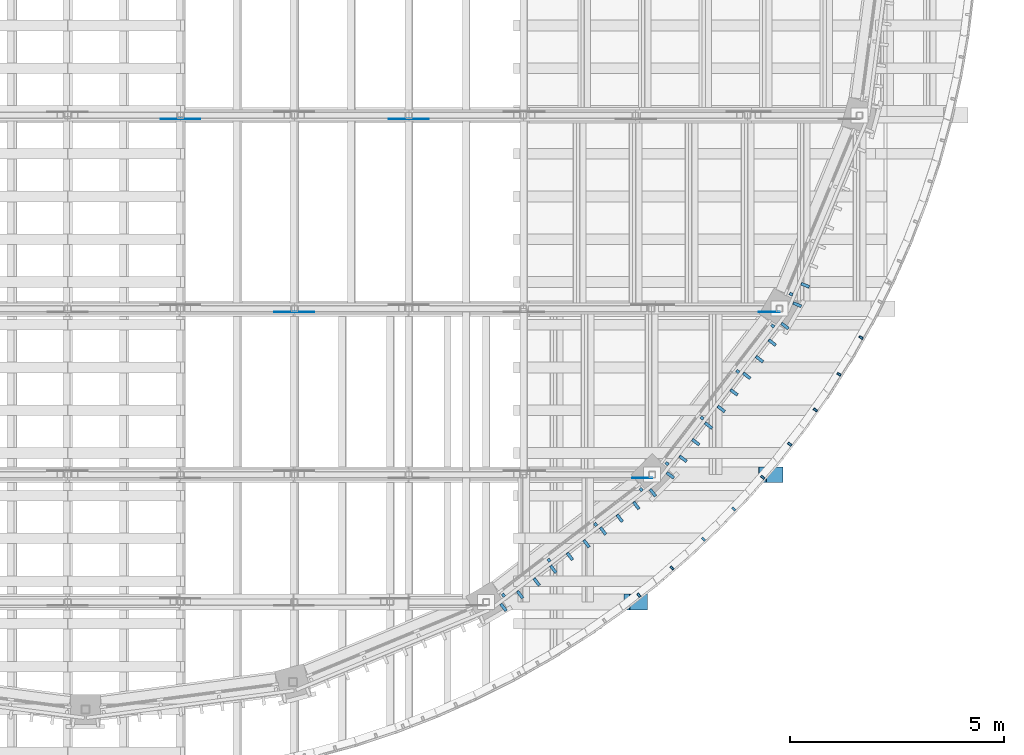
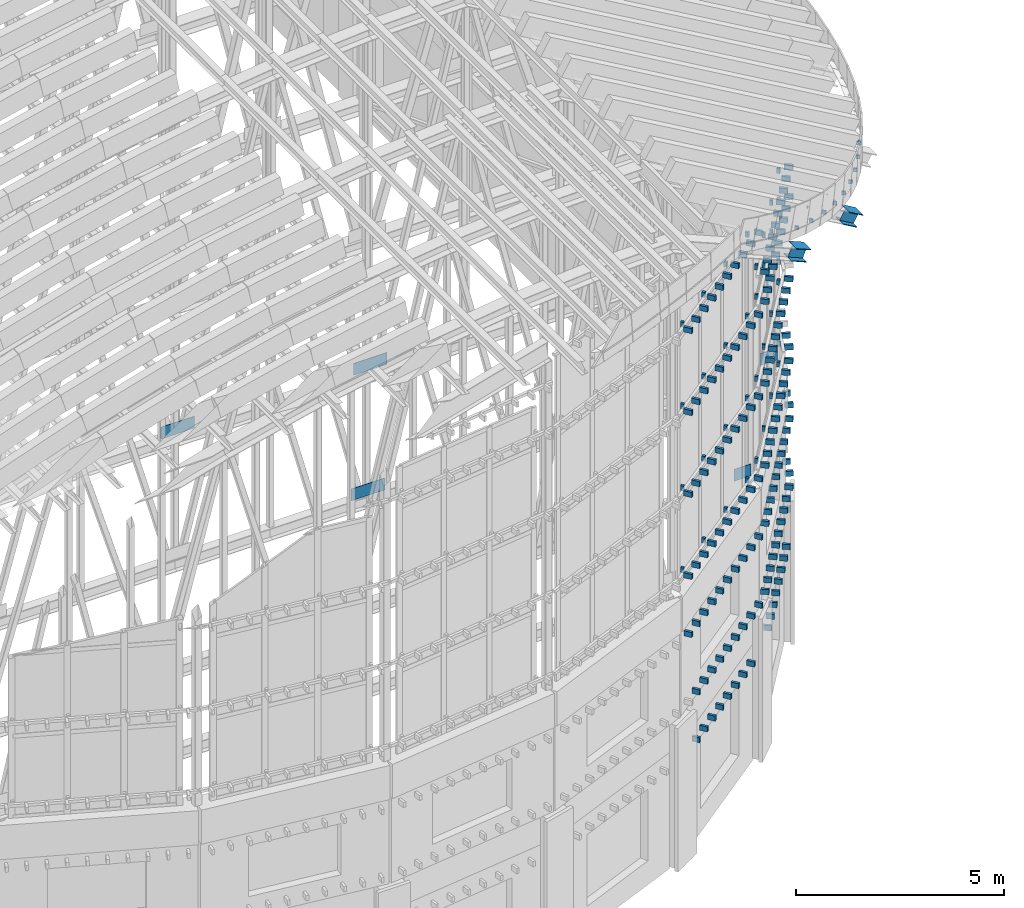
# One storey, part 71 of 105: 192 discrete accessories.
"""IFC4 building model written with IfcOpenShell, lengths in metres."""

from ifc_helpers import new_model, si_unit, direction, frame, origin, origin_2d, place, context, subcontext, project, spatial, polyline, rectangle, i_section, outline, extrude, material, material_profile, profile_set, type_object, element, save


model = new_model("IFC4")

# Units and contexts
model_context = context("Model", 3, precision=1e-05, world=origin(), true_north=direction((0.0, 1.0)))
body_context = subcontext(model_context, "Body", "Model", "MODEL_VIEW")
ifc_project = project(units=[si_unit("LENGTHUNIT", "METRE"), si_unit("AREAUNIT", "SQUARE_METRE"), si_unit("VOLUMEUNIT", "CUBIC_METRE"), si_unit("PLANEANGLEUNIT", "RADIAN"), si_unit("MASSUNIT", "GRAM", prefix="KILO")], contexts=[model_context])

# Site, building, storey
site_placement = place(None, origin())
site = spatial("IfcSite", under=ifc_project, at=site_placement, CompositionType="ELEMENT")
building_placement = place(site_placement, origin())
building = spatial("IfcBuilding", under=site, at=building_placement, Name="Wasatch Bagh Community Centre", CompositionType="ELEMENT")
storey_placement = place(building_placement, frame((0.0, 0.0, 16.800048828125)))
storey = spatial("IfcBuildingStorey", under=building, at=storey_placement, Name="L04", CompositionType="ELEMENT", Elevation=16.800048828125)

# Discrete accessories
ifc_material_1 = material(Name="ASTM A36 steel", Category="steel")
discrete_accessory_type_1 = type_object("IfcDiscreteAccessoryType", Name="MH fascia bracket", PredefinedType="BRACKET", material=ifc_material_1)
for number, where, z_axis, x_axis, name in (
    (1, (54.14453125, 24.947998046875, 14.06689453125), (0.0, 0.0, 1.0), (0.870086991109, -0.49289819223, 0.0), "Fascia bracket 12"),
    (2, (53.6298828125, 24.08935546875, 14.363037109375), (0.0, 0.0, 1.0), (0.84485356525, -0.534997619887, 0.0), "Fascia bracket 13"),
    (3, (53.07373046875, 23.257080078125, 14.683349609375), (0.0, 0.0, 1.0), (0.817584813152, -0.575808191418, 0.0), "Fascia bracket 14"),
    (4, (52.4775390625, 22.453125, 15.02685546875), (0.0, 0.0, 1.0), (0.788346427627, -0.615231590581, 0.0), "Fascia bracket 15"),
    (5, (51.842529296875, 21.67919921875, 15.392578125), (0.0, 0.0, 1.0), (0.757208846506, -0.653172842954, 0.0), "Fascia bracket 16"),
    (6, (51.170166015625, 20.9375, 15.77978515625), (0.0, 0.0, 1.0), (0.724247082951, -0.689540544737, 0.0), "Fascia bracket 17"),
    (7, (50.46240234375, 20.229736328125, 16.1875), (0.0, 0.0, 1.0), (0.689540544737, -0.724247082951, 0.0), "Fascia bracket 18"),
    (8, (49.720703125, 19.5576171875, 16.614501953125), (0.0, 0.0, 1.0), (0.653172842954, -0.757208846506, 0.0), "Fascia bracket 19"),
    (9, (48.947021484375, 18.922607421875, 17.060302734375), (0.0, 0.0, 1.0), (0.615231590581, -0.788346427627, 0.0), "Fascia bracket 20"),
):
    element("IfcDiscreteAccessory", number, at=place(storey_placement, frame(where, z_axis=z_axis, x_axis=x_axis)), inside=storey, type_object=discrete_accessory_type_1, Name=name, PredefinedType="BRACKET", context=body_context, shape_type="SweptSolid", body=[
        extrude(rectangle(XDim=0.10009765625, YDim=0.050048828125, at=origin_2d()), origin(), (0.0, 0.0, 1.0), 0.10009765625),
    ])
discrete_accessory_type_2 = type_object("IfcDiscreteAccessoryType", Name="MH fin bracket", PredefinedType="BRACKET", material=ifc_material_1)
for number, where, z_axis, x_axis, name in (
    (10, (45.7822265625, 18.63330078125, 6.425048828125), (0.0, 0.0, 1.0), (0.793353340291, 0.608761429009, 0.0), "Fin bracket 9.1.6"),
    (11, (46.170654296875, 18.931396484375, 3.02490234375), (0.0, 0.0, 1.0), (0.793353340291, 0.608761429009, 0.0), "Fin bracket 9.2.4"),
    (12, (46.170654296875, 18.931396484375, 4.425048828125), (0.0, 0.0, 1.0), (0.793353340291, 0.608761429009, 0.0), "Fin bracket 9.2.5"),
    (13, (46.170654296875, 18.931396484375, 6.425048828125), (0.0, 0.0, 1.0), (0.793353340291, 0.608761429009, 0.0), "Fin bracket 9.2.6"),
    (14, (46.558837890625, 19.229248046875, 3.02490234375), (0.0, 0.0, 1.0), (0.793353340291, 0.608761429009, 0.0), "Fin bracket 9.3.4"),
    (15, (46.558837890625, 19.229248046875, 4.425048828125), (0.0, 0.0, 1.0), (0.793353340291, 0.608761429009, 0.0), "Fin bracket 9.3.5"),
    (16, (46.558837890625, 19.229248046875, 6.425048828125), (0.0, 0.0, 1.0), (0.793353340291, 0.608761429009, 0.0), "Fin bracket 9.3.6"),
    (17, (46.947265625, 19.52734375, 3.02490234375), (0.0, 0.0, 1.0), (0.793353340291, 0.608761429009, 0.0), "Fin bracket 9.4.4"),
    (18, (46.947265625, 19.52734375, 4.425048828125), (0.0, 0.0, 1.0), (0.793353340291, 0.608761429009, 0.0), "Fin bracket 9.4.5"),
    (19, (46.947265625, 19.52734375, 6.425048828125), (0.0, 0.0, 1.0), (0.793353340291, 0.608761429009, 0.0), "Fin bracket 9.4.6"),
    (20, (47.33544921875, 19.8251953125, 3.02490234375), (0.0, 0.0, 1.0), (0.793353340291, 0.608761429009, 0.0), "Fin bracket 9.5.4"),
    (21, (47.33544921875, 19.8251953125, 4.425048828125), (0.0, 0.0, 1.0), (0.793353340291, 0.608761429009, 0.0), "Fin bracket 9.5.5"),
    (22, (47.33544921875, 19.8251953125, 6.425048828125), (0.0, 0.0, 1.0), (0.793353340291, 0.608761429009, 0.0), "Fin bracket 9.5.6"),
    (23, (47.723876953125, 20.123291015625, 3.02490234375), (0.0, 0.0, 1.0), (0.793353340291, 0.608761429009, 0.0), "Fin bracket 9.6.4"),
    (24, (47.723876953125, 20.123291015625, 4.425048828125), (0.0, 0.0, 1.0), (0.793353340291, 0.608761429009, 0.0), "Fin bracket 9.6.5"),
    (25, (47.723876953125, 20.123291015625, 6.425048828125), (0.0, 0.0, 1.0), (0.793353340291, 0.608761429009, 0.0), "Fin bracket 9.6.6"),
    (26, (48.112060546875, 20.421142578125, 3.02490234375), (0.0, 0.0, 1.0), (0.793353340291, 0.608761429009, 0.0), "Fin bracket 9.7.4"),
    (27, (48.112060546875, 20.421142578125, 4.425048828125), (0.0, 0.0, 1.0), (0.793353340291, 0.608761429009, 0.0), "Fin bracket 9.7.5"),
    (28, (48.112060546875, 20.421142578125, 6.425048828125), (0.0, 0.0, 1.0), (0.793353340291, 0.608761429009, 0.0), "Fin bracket 9.7.6"),
    (29, (48.50048828125, 20.71923828125, 3.02490234375), (0.0, 0.0, 1.0), (0.793353340291, 0.608761429009, 0.0), "Fin bracket 9.8.4"),
    (30, (48.50048828125, 20.71923828125, 4.425048828125), (0.0, 0.0, 1.0), (0.793353340291, 0.608761429009, 0.0), "Fin bracket 9.8.5"),
    (31, (48.50048828125, 20.71923828125, 6.425048828125), (0.0, 0.0, 1.0), (0.793353340291, 0.608761429009, 0.0), "Fin bracket 9.8.6"),
    (32, (48.888916015625, 21.01708984375, 3.02490234375), (0.0, 0.0, 1.0), (0.793353340291, 0.608761429009, 0.0), "Fin bracket 9.9.4"),
    (33, (48.888916015625, 21.01708984375, 4.425048828125), (0.0, 0.0, 1.0), (0.793353340291, 0.608761429009, 0.0), "Fin bracket 9.9.5"),
    (34, (48.888916015625, 21.01708984375, 6.425048828125), (0.0, 0.0, 1.0), (0.793353340291, 0.608761429009, 0.0), "Fin bracket 9.9.6"),
    (35, (49.277099609375, 21.315185546875, 4.425048828125), (0.0, 0.0, 1.0), (0.793353340291, 0.608761429009, 0.0), "Fin bracket 9.10.5"),
    (36, (49.277099609375, 21.315185546875, 6.425048828125), (0.0, 0.0, 1.0), (0.793353340291, 0.608761429009, 0.0), "Fin bracket 9.10.6"),
    (37, (49.684814453125, 21.722900390625, 4.425048828125), (0.0, 0.0, 1.0), (0.608761429009, 0.793353340291, 0.0), "Fin bracket 10.1.5"),
    (38, (49.684814453125, 21.722900390625, 6.425048828125), (0.0, 0.0, 1.0), (0.608761429009, 0.793353340291, 0.0), "Fin bracket 10.1.6"),
    (39, (49.98291015625, 22.111083984375, 3.02490234375), (0.0, 0.0, 1.0), (0.608761429009, 0.793353340291, 0.0), "Fin bracket 10.2.4"),
    (40, (49.98291015625, 22.111083984375, 4.425048828125), (0.0, 0.0, 1.0), (0.608761429009, 0.793353340291, 0.0), "Fin bracket 10.2.5"),
    (41, (49.98291015625, 22.111083984375, 6.425048828125), (0.0, 0.0, 1.0), (0.608761429009, 0.793353340291, 0.0), "Fin bracket 10.2.6"),
    (42, (50.28076171875, 22.49951171875, 3.02490234375), (0.0, 0.0, 1.0), (0.608761429009, 0.793353340291, 0.0), "Fin bracket 10.3.4"),
    (43, (50.28076171875, 22.49951171875, 4.425048828125), (0.0, 0.0, 1.0), (0.608761429009, 0.793353340291, 0.0), "Fin bracket 10.3.5"),
    (44, (50.28076171875, 22.49951171875, 6.425048828125), (0.0, 0.0, 1.0), (0.608761429009, 0.793353340291, 0.0), "Fin bracket 10.3.6"),
    (45, (50.578857421875, 22.887939453125, 3.02490234375), (0.0, 0.0, 1.0), (0.608761429009, 0.793353340291, 0.0), "Fin bracket 10.4.4"),
    (46, (50.578857421875, 22.887939453125, 4.425048828125), (0.0, 0.0, 1.0), (0.608761429009, 0.793353340291, 0.0), "Fin bracket 10.4.5"),
    (47, (50.578857421875, 22.887939453125, 6.425048828125), (0.0, 0.0, 1.0), (0.608761429009, 0.793353340291, 0.0), "Fin bracket 10.4.6"),
    (48, (50.876708984375, 23.276123046875, 3.02490234375), (0.0, 0.0, 1.0), (0.608761429009, 0.793353340291, 0.0), "Fin bracket 10.5.4"),
    (49, (50.876708984375, 23.276123046875, 4.425048828125), (0.0, 0.0, 1.0), (0.608761429009, 0.793353340291, 0.0), "Fin bracket 10.5.5"),
    (50, (50.876708984375, 23.276123046875, 6.425048828125), (0.0, 0.0, 1.0), (0.608761429009, 0.793353340291, 0.0), "Fin bracket 10.5.6"),
    (51, (51.1748046875, 23.66455078125, 3.02490234375), (0.0, 0.0, 1.0), (0.608761429009, 0.793353340291, 0.0), "Fin bracket 10.6.4"),
    (52, (51.1748046875, 23.66455078125, 4.425048828125), (0.0, 0.0, 1.0), (0.608761429009, 0.793353340291, 0.0), "Fin bracket 10.6.5"),
    (53, (51.1748046875, 23.66455078125, 6.425048828125), (0.0, 0.0, 1.0), (0.608761429009, 0.793353340291, 0.0), "Fin bracket 10.6.6"),
    (54, (51.47265625, 24.052734375, 3.02490234375), (0.0, 0.0, 1.0), (0.608761429009, 0.793353340291, 0.0), "Fin bracket 10.7.4"),
    (55, (51.47265625, 24.052734375, 4.425048828125), (0.0, 0.0, 1.0), (0.608761429009, 0.793353340291, 0.0), "Fin bracket 10.7.5"),
    (56, (51.47265625, 24.052734375, 6.425048828125), (0.0, 0.0, 1.0), (0.608761429009, 0.793353340291, 0.0), "Fin bracket 10.7.6"),
    (57, (51.770751953125, 24.441162109375, 3.02490234375), (0.0, 0.0, 1.0), (0.608761429009, 0.793353340291, 0.0), "Fin bracket 10.8.4"),
    (58, (51.770751953125, 24.441162109375, 4.425048828125), (0.0, 0.0, 1.0), (0.608761429009, 0.793353340291, 0.0), "Fin bracket 10.8.5"),
    (59, (51.770751953125, 24.441162109375, 6.425048828125), (0.0, 0.0, 1.0), (0.608761429009, 0.793353340291, 0.0), "Fin bracket 10.8.6"),
    (60, (52.068603515625, 24.829345703125, 3.02490234375), (0.0, 0.0, 1.0), (0.608761429009, 0.793353340291, 0.0), "Fin bracket 10.9.4"),
    (61, (52.068603515625, 24.829345703125, 4.425048828125), (0.0, 0.0, 1.0), (0.608761429009, 0.793353340291, 0.0), "Fin bracket 10.9.5"),
    (62, (52.068603515625, 24.829345703125, 6.425048828125), (0.0, 0.0, 1.0), (0.608761429009, 0.793353340291, 0.0), "Fin bracket 10.9.6"),
    (63, (52.36669921875, 25.2177734375, 4.425048828125), (0.0, 0.0, 1.0), (0.608761429009, 0.793353340291, 0.0), "Fin bracket 10.10.5"),
    (64, (52.36669921875, 25.2177734375, 6.425048828125), (0.0, 0.0, 1.0), (0.608761429009, 0.793353340291, 0.0), "Fin bracket 10.10.6"),
    (65, (52.655029296875, 25.71728515625, 4.425048828125), (0.0, 0.0, 1.0), (0.382683432365, 0.923879532511, 0.0), "Fin bracket 11.1.5"),
    (66, (52.655029296875, 25.71728515625, 6.425048828125), (0.0, 0.0, 1.0), (0.382683432365, 0.923879532511, 0.0), "Fin bracket 11.1.6"),
    (67, (52.84228515625, 26.16943359375, 3.02490234375), (0.0, 0.0, 1.0), (0.382683432365, 0.923879532511, 0.0), "Fin bracket 11.2.4"),
    (68, (52.84228515625, 26.16943359375, 4.425048828125), (0.0, 0.0, 1.0), (0.382683432365, 0.923879532511, 0.0), "Fin bracket 11.2.5"),
    (69, (52.84228515625, 26.16943359375, 6.425048828125), (0.0, 0.0, 1.0), (0.382683432365, 0.923879532511, 0.0), "Fin bracket 11.2.6"),
):
    element("IfcDiscreteAccessory", number, at=place(storey_placement, frame(where, z_axis=z_axis, x_axis=x_axis)), inside=storey, type_object=discrete_accessory_type_2, Name=name, PredefinedType="BRACKET", context=body_context, shape_type="SweptSolid", body=[
        extrude(rectangle(XDim=0.070068359375, YDim=0.199951171875, at=origin_2d()), origin(), (0.0, 0.0, 1.0), 0.14990234375),
    ])
discrete_accessory_type_3 = type_object("IfcDiscreteAccessoryType", Name="MH fin bracket (rail)", PredefinedType="BRACKET", material=ifc_material_1)
for number, where, z_axis, x_axis, name in (
    (70, (45.779296875, 18.63720703125, 8.125), (0.0, 0.0, 1.0), (0.793353340291, 0.608761429009, 0.0), "Fin bracket 9.1.r1"),
    (71, (46.16748046875, 18.935302734375, 8.125), (0.0, 0.0, 1.0), (0.793353340291, 0.608761429009, 0.0), "Fin bracket 9.2.r1"),
    (72, (46.555908203125, 19.233154296875, 8.125), (0.0, 0.0, 1.0), (0.793353340291, 0.608761429009, 0.0), "Fin bracket 9.3.r1"),
    (73, (46.944091796875, 19.53125, 8.125), (0.0, 0.0, 1.0), (0.793353340291, 0.608761429009, 0.0), "Fin bracket 9.4.r1"),
    (74, (47.33251953125, 19.8291015625, 8.125), (0.0, 0.0, 1.0), (0.793353340291, 0.608761429009, 0.0), "Fin bracket 9.5.r1"),
    (75, (47.720703125, 20.127197265625, 8.125), (0.0, 0.0, 1.0), (0.793353340291, 0.608761429009, 0.0), "Fin bracket 9.6.r1"),
    (76, (48.109130859375, 20.425048828125, 8.125), (0.0, 0.0, 1.0), (0.793353340291, 0.608761429009, 0.0), "Fin bracket 9.7.r1"),
    (77, (48.49755859375, 20.72314453125, 8.125), (0.0, 0.0, 1.0), (0.793353340291, 0.608761429009, 0.0), "Fin bracket 9.8.r1"),
    (78, (48.8857421875, 21.02099609375, 8.125), (0.0, 0.0, 1.0), (0.793353340291, 0.608761429009, 0.0), "Fin bracket 9.9.r1"),
    (79, (49.274169921875, 21.319091796875, 8.125), (0.0, 0.0, 1.0), (0.793353340291, 0.608761429009, 0.0), "Fin bracket 9.10.r1"),
    (80, (45.779296875, 18.63720703125, 10.52490234375), (0.0, 0.0, 1.0), (0.793353340291, 0.608761429009, 0.0), "Fin bracket 9.1.r2"),
    (81, (46.16748046875, 18.935302734375, 10.52490234375), (0.0, 0.0, 1.0), (0.793353340291, 0.608761429009, 0.0), "Fin bracket 9.2.r2"),
    (82, (46.555908203125, 19.233154296875, 10.52490234375), (0.0, 0.0, 1.0), (0.793353340291, 0.608761429009, 0.0), "Fin bracket 9.3.r2"),
    (83, (46.944091796875, 19.53125, 10.52490234375), (0.0, 0.0, 1.0), (0.793353340291, 0.608761429009, 0.0), "Fin bracket 9.4.r2"),
    (84, (47.33251953125, 19.8291015625, 10.52490234375), (0.0, 0.0, 1.0), (0.793353340291, 0.608761429009, 0.0), "Fin bracket 9.5.r2"),
    (85, (47.720703125, 20.127197265625, 10.52490234375), (0.0, 0.0, 1.0), (0.793353340291, 0.608761429009, 0.0), "Fin bracket 9.6.r2"),
    (86, (48.109130859375, 20.425048828125, 10.52490234375), (0.0, 0.0, 1.0), (0.793353340291, 0.608761429009, 0.0), "Fin bracket 9.7.r2"),
    (87, (48.49755859375, 20.72314453125, 10.52490234375), (0.0, 0.0, 1.0), (0.793353340291, 0.608761429009, 0.0), "Fin bracket 9.8.r2"),
    (88, (48.8857421875, 21.02099609375, 10.52490234375), (0.0, 0.0, 1.0), (0.793353340291, 0.608761429009, 0.0), "Fin bracket 9.9.r2"),
    (89, (49.274169921875, 21.319091796875, 10.52490234375), (0.0, 0.0, 1.0), (0.793353340291, 0.608761429009, 0.0), "Fin bracket 9.10.r2"),
    (90, (45.779296875, 18.63720703125, 12.925048828125), (0.0, 0.0, 1.0), (0.793353340291, 0.608761429009, 0.0), "Fin bracket 9.1.r3"),
    (91, (46.16748046875, 18.935302734375, 12.925048828125), (0.0, 0.0, 1.0), (0.793353340291, 0.608761429009, 0.0), "Fin bracket 9.2.r3"),
    (92, (46.555908203125, 19.233154296875, 12.925048828125), (0.0, 0.0, 1.0), (0.793353340291, 0.608761429009, 0.0), "Fin bracket 9.3.r3"),
    (93, (46.944091796875, 19.53125, 12.925048828125), (0.0, 0.0, 1.0), (0.793353340291, 0.608761429009, 0.0), "Fin bracket 9.4.r3"),
    (94, (47.33251953125, 19.8291015625, 12.925048828125), (0.0, 0.0, 1.0), (0.793353340291, 0.608761429009, 0.0), "Fin bracket 9.5.r3"),
    (95, (47.720703125, 20.127197265625, 12.925048828125), (0.0, 0.0, 1.0), (0.793353340291, 0.608761429009, 0.0), "Fin bracket 9.6.r3"),
    (96, (48.109130859375, 20.425048828125, 12.925048828125), (0.0, 0.0, 1.0), (0.793353340291, 0.608761429009, 0.0), "Fin bracket 9.7.r3"),
    (97, (48.49755859375, 20.72314453125, 12.925048828125), (0.0, 0.0, 1.0), (0.793353340291, 0.608761429009, 0.0), "Fin bracket 9.8.r3"),
    (98, (48.8857421875, 21.02099609375, 12.925048828125), (0.0, 0.0, 1.0), (0.793353340291, 0.608761429009, 0.0), "Fin bracket 9.9.r3"),
    (99, (49.274169921875, 21.319091796875, 12.925048828125), (0.0, 0.0, 1.0), (0.793353340291, 0.608761429009, 0.0), "Fin bracket 9.10.r3"),
    (100, (45.779296875, 18.63720703125, 15.324951171875), (0.0, 0.0, 1.0), (0.793353340291, 0.608761429009, 0.0), "Fin bracket 9.1.r4"),
    (101, (46.16748046875, 18.935302734375, 15.324951171875), (0.0, 0.0, 1.0), (0.793353340291, 0.608761429009, 0.0), "Fin bracket 9.2.r4"),
    (102, (46.555908203125, 19.233154296875, 15.324951171875), (0.0, 0.0, 1.0), (0.793353340291, 0.608761429009, 0.0), "Fin bracket 9.3.r4"),
    (103, (46.944091796875, 19.53125, 15.324951171875), (0.0, 0.0, 1.0), (0.793353340291, 0.608761429009, 0.0), "Fin bracket 9.4.r4"),
    (104, (47.33251953125, 19.8291015625, 15.324951171875), (0.0, 0.0, 1.0), (0.793353340291, 0.608761429009, 0.0), "Fin bracket 9.5.r4"),
    (105, (47.720703125, 20.127197265625, 15.324951171875), (0.0, 0.0, 1.0), (0.793353340291, 0.608761429009, 0.0), "Fin bracket 9.6.r4"),
    (106, (48.109130859375, 20.425048828125, 15.324951171875), (0.0, 0.0, 1.0), (0.793353340291, 0.608761429009, 0.0), "Fin bracket 9.7.r4"),
    (107, (48.49755859375, 20.72314453125, 15.324951171875), (0.0, 0.0, 1.0), (0.793353340291, 0.608761429009, 0.0), "Fin bracket 9.8.r4"),
    (108, (48.8857421875, 21.02099609375, 15.324951171875), (0.0, 0.0, 1.0), (0.793353340291, 0.608761429009, 0.0), "Fin bracket 9.9.r4"),
    (109, (49.274169921875, 21.319091796875, 15.324951171875), (0.0, 0.0, 1.0), (0.793353340291, 0.608761429009, 0.0), "Fin bracket 9.10.r4"),
    (110, (49.680908203125, 21.725830078125, 8.125), (0.0, 0.0, 1.0), (0.608761429009, 0.793353340291, 0.0), "Fin bracket 10.1.r1"),
    (111, (49.97900390625, 22.1142578125, 8.125), (0.0, 0.0, 1.0), (0.608761429009, 0.793353340291, 0.0), "Fin bracket 10.2.r1"),
    (112, (50.27685546875, 22.50244140625, 8.125), (0.0, 0.0, 1.0), (0.608761429009, 0.793353340291, 0.0), "Fin bracket 10.3.r1"),
    (113, (50.574951171875, 22.890869140625, 8.125), (0.0, 0.0, 1.0), (0.608761429009, 0.793353340291, 0.0), "Fin bracket 10.4.r1"),
    (114, (50.872802734375, 23.279296875, 8.125), (0.0, 0.0, 1.0), (0.608761429009, 0.793353340291, 0.0), "Fin bracket 10.5.r1"),
    (115, (51.1708984375, 23.66748046875, 8.125), (0.0, 0.0, 1.0), (0.608761429009, 0.793353340291, 0.0), "Fin bracket 10.6.r1"),
    (116, (51.46875, 24.055908203125, 8.125), (0.0, 0.0, 1.0), (0.608761429009, 0.793353340291, 0.0), "Fin bracket 10.7.r1"),
    (117, (51.766845703125, 24.444091796875, 8.125), (0.0, 0.0, 1.0), (0.608761429009, 0.793353340291, 0.0), "Fin bracket 10.8.r1"),
    (118, (52.064697265625, 24.83251953125, 8.125), (0.0, 0.0, 1.0), (0.608761429009, 0.793353340291, 0.0), "Fin bracket 10.9.r1"),
    (119, (52.36279296875, 25.220703125, 8.125), (0.0, 0.0, 1.0), (0.608761429009, 0.793353340291, 0.0), "Fin bracket 10.10.r1"),
    (120, (49.680908203125, 21.725830078125, 10.52490234375), (0.0, 0.0, 1.0), (0.608761429009, 0.793353340291, 0.0), "Fin bracket 10.1.r2"),
    (121, (49.97900390625, 22.1142578125, 10.52490234375), (0.0, 0.0, 1.0), (0.608761429009, 0.793353340291, 0.0), "Fin bracket 10.2.r2"),
    (122, (50.27685546875, 22.50244140625, 10.52490234375), (0.0, 0.0, 1.0), (0.608761429009, 0.793353340291, 0.0), "Fin bracket 10.3.r2"),
    (123, (50.574951171875, 22.890869140625, 10.52490234375), (0.0, 0.0, 1.0), (0.608761429009, 0.793353340291, 0.0), "Fin bracket 10.4.r2"),
    (124, (50.872802734375, 23.279296875, 10.52490234375), (0.0, 0.0, 1.0), (0.608761429009, 0.793353340291, 0.0), "Fin bracket 10.5.r2"),
    (125, (51.1708984375, 23.66748046875, 10.52490234375), (0.0, 0.0, 1.0), (0.608761429009, 0.793353340291, 0.0), "Fin bracket 10.6.r2"),
    (126, (51.46875, 24.055908203125, 10.52490234375), (0.0, 0.0, 1.0), (0.608761429009, 0.793353340291, 0.0), "Fin bracket 10.7.r2"),
    (127, (51.766845703125, 24.444091796875, 10.52490234375), (0.0, 0.0, 1.0), (0.608761429009, 0.793353340291, 0.0), "Fin bracket 10.8.r2"),
    (128, (52.064697265625, 24.83251953125, 10.52490234375), (0.0, 0.0, 1.0), (0.608761429009, 0.793353340291, 0.0), "Fin bracket 10.9.r2"),
    (129, (52.36279296875, 25.220703125, 10.52490234375), (0.0, 0.0, 1.0), (0.608761429009, 0.793353340291, 0.0), "Fin bracket 10.10.r2"),
    (130, (49.680908203125, 21.725830078125, 12.925048828125), (0.0, 0.0, 1.0), (0.608761429009, 0.793353340291, 0.0), "Fin bracket 10.1.r3"),
    (131, (49.97900390625, 22.1142578125, 12.925048828125), (0.0, 0.0, 1.0), (0.608761429009, 0.793353340291, 0.0), "Fin bracket 10.2.r3"),
    (132, (50.27685546875, 22.50244140625, 12.925048828125), (0.0, 0.0, 1.0), (0.608761429009, 0.793353340291, 0.0), "Fin bracket 10.3.r3"),
    (133, (50.574951171875, 22.890869140625, 12.925048828125), (0.0, 0.0, 1.0), (0.608761429009, 0.793353340291, 0.0), "Fin bracket 10.4.r3"),
    (134, (50.872802734375, 23.279296875, 12.925048828125), (0.0, 0.0, 1.0), (0.608761429009, 0.793353340291, 0.0), "Fin bracket 10.5.r3"),
    (135, (51.1708984375, 23.66748046875, 12.925048828125), (0.0, 0.0, 1.0), (0.608761429009, 0.793353340291, 0.0), "Fin bracket 10.6.r3"),
    (136, (51.46875, 24.055908203125, 12.925048828125), (0.0, 0.0, 1.0), (0.608761429009, 0.793353340291, 0.0), "Fin bracket 10.7.r3"),
    (137, (51.766845703125, 24.444091796875, 12.925048828125), (0.0, 0.0, 1.0), (0.608761429009, 0.793353340291, 0.0), "Fin bracket 10.8.r3"),
    (138, (52.064697265625, 24.83251953125, 12.925048828125), (0.0, 0.0, 1.0), (0.608761429009, 0.793353340291, 0.0), "Fin bracket 10.9.r3"),
    (139, (52.36279296875, 25.220703125, 12.925048828125), (0.0, 0.0, 1.0), (0.608761429009, 0.793353340291, 0.0), "Fin bracket 10.10.r3"),
    (140, (49.680908203125, 21.725830078125, 13.794921875), (0.0, 0.0, 1.0), (0.608761429009, 0.793353340291, 0.0), "Fin bracket 10.1.r4"),
    (141, (49.97900390625, 22.1142578125, 13.794921875), (0.0, 0.0, 1.0), (0.608761429009, 0.793353340291, 0.0), "Fin bracket 10.2.r4"),
    (142, (50.27685546875, 22.50244140625, 13.794921875), (0.0, 0.0, 1.0), (0.608761429009, 0.793353340291, 0.0), "Fin bracket 10.3.r4"),
    (143, (50.574951171875, 22.890869140625, 13.794921875), (0.0, 0.0, 1.0), (0.608761429009, 0.793353340291, 0.0), "Fin bracket 10.4.r4"),
    (144, (50.872802734375, 23.279296875, 13.794921875), (0.0, 0.0, 1.0), (0.608761429009, 0.793353340291, 0.0), "Fin bracket 10.5.r4"),
    (145, (51.1708984375, 23.66748046875, 13.794921875), (0.0, 0.0, 1.0), (0.608761429009, 0.793353340291, 0.0), "Fin bracket 10.6.r4"),
    (146, (51.46875, 24.055908203125, 13.794921875), (0.0, 0.0, 1.0), (0.608761429009, 0.793353340291, 0.0), "Fin bracket 10.7.r4"),
    (147, (51.766845703125, 24.444091796875, 13.794921875), (0.0, 0.0, 1.0), (0.608761429009, 0.793353340291, 0.0), "Fin bracket 10.8.r4"),
    (148, (52.064697265625, 24.83251953125, 13.794921875), (0.0, 0.0, 1.0), (0.608761429009, 0.793353340291, 0.0), "Fin bracket 10.9.r4"),
    (149, (52.36279296875, 25.220703125, 13.794921875), (0.0, 0.0, 1.0), (0.608761429009, 0.793353340291, 0.0), "Fin bracket 10.10.r4"),
    (150, (52.650390625, 25.718994140625, 8.125), (0.0, 0.0, 1.0), (0.382683432365, 0.923879532511, 0.0), "Fin bracket 11.1.r1"),
    (151, (52.837646484375, 26.17138671875, 8.125), (0.0, 0.0, 1.0), (0.382683432365, 0.923879532511, 0.0), "Fin bracket 11.2.r1"),
):
    element("IfcDiscreteAccessory", number, at=place(storey_placement, frame(where, z_axis=z_axis, x_axis=x_axis)), inside=storey, type_object=discrete_accessory_type_3, Name=name, PredefinedType="BRACKET", context=body_context, shape_type="SweptSolid", body=[
        extrude(rectangle(XDim=0.070068359375, YDim=0.2099609375, at=origin_2d()), origin(), (0.0, 0.0, 1.0), 0.14990234375),
    ])
discrete_accessory_type_4 = type_object("IfcDiscreteAccessoryType", Name="MH fin rail stand-off", PredefinedType="BRACKET", material=ifc_material_1)
for number, where, z_axis, x_axis, name in (
    (152, (45.7783203125, 18.92041015625, 8.125), (0.0, 0.0, 1.0), (0.793353340291, 0.608761429009, 0.0), "Rail stand-off 9.1.1"),
    (153, (46.8447265625, 19.738525390625, 8.125), (0.0, 0.0, 1.0), (0.793353340291, 0.608761429009, 0.0), "Rail stand-off 9.1.2"),
    (154, (47.934814453125, 20.574951171875, 8.125), (0.0, 0.0, 1.0), (0.793353340291, 0.608761429009, 0.0), "Rail stand-off 9.1.3"),
    (155, (49.0009765625, 21.39306640625, 8.125), (0.0, 0.0, 1.0), (0.793353340291, 0.608761429009, 0.0), "Rail stand-off 9.1.4"),
    (156, (45.7783203125, 18.92041015625, 10.52490234375), (0.0, 0.0, 1.0), (0.793353340291, 0.608761429009, 0.0), "Rail stand-off 9.2.1"),
    (157, (46.8447265625, 19.738525390625, 10.52490234375), (0.0, 0.0, 1.0), (0.793353340291, 0.608761429009, 0.0), "Rail stand-off 9.2.2"),
    (158, (47.934814453125, 20.574951171875, 10.52490234375), (0.0, 0.0, 1.0), (0.793353340291, 0.608761429009, 0.0), "Rail stand-off 9.2.3"),
    (159, (49.0009765625, 21.39306640625, 10.52490234375), (0.0, 0.0, 1.0), (0.793353340291, 0.608761429009, 0.0), "Rail stand-off 9.2.4"),
    (160, (45.7783203125, 18.92041015625, 12.925048828125), (0.0, 0.0, 1.0), (0.793353340291, 0.608761429009, 0.0), "Rail stand-off 9.3.1"),
    (161, (46.8447265625, 19.738525390625, 12.925048828125), (0.0, 0.0, 1.0), (0.793353340291, 0.608761429009, 0.0), "Rail stand-off 9.3.2"),
    (162, (47.934814453125, 20.574951171875, 12.925048828125), (0.0, 0.0, 1.0), (0.793353340291, 0.608761429009, 0.0), "Rail stand-off 9.3.3"),
    (163, (49.0009765625, 21.39306640625, 12.925048828125), (0.0, 0.0, 1.0), (0.793353340291, 0.608761429009, 0.0), "Rail stand-off 9.3.4"),
    (164, (45.7783203125, 18.92041015625, 15.324951171875), (0.0, 0.0, 1.0), (0.793353340291, 0.608761429009, 0.0), "Rail stand-off 9.4.1"),
    (165, (46.8447265625, 19.738525390625, 15.324951171875), (0.0, 0.0, 1.0), (0.793353340291, 0.608761429009, 0.0), "Rail stand-off 9.4.2"),
    (166, (47.934814453125, 20.574951171875, 15.324951171875), (0.0, 0.0, 1.0), (0.793353340291, 0.608761429009, 0.0), "Rail stand-off 9.4.3"),
    (167, (49.0009765625, 21.39306640625, 15.324951171875), (0.0, 0.0, 1.0), (0.793353340291, 0.608761429009, 0.0), "Rail stand-off 9.4.4"),
    (168, (49.60693359375, 21.9990234375, 8.125), (0.0, 0.0, 1.0), (0.608761429009, 0.793353340291, 0.0), "Rail stand-off 10.1.1"),
    (169, (50.425048828125, 23.065185546875, 8.125), (0.0, 0.0, 1.0), (0.608761429009, 0.793353340291, 0.0), "Rail stand-off 10.1.2"),
    (170, (51.261474609375, 24.1552734375, 8.125), (0.0, 0.0, 1.0), (0.608761429009, 0.793353340291, 0.0), "Rail stand-off 10.1.3"),
    (171, (52.07958984375, 25.2216796875, 8.125), (0.0, 0.0, 1.0), (0.608761429009, 0.793353340291, 0.0), "Rail stand-off 10.1.4"),
    (172, (49.60693359375, 21.9990234375, 10.52490234375), (0.0, 0.0, 1.0), (0.608761429009, 0.793353340291, 0.0), "Rail stand-off 10.2.1"),
    (173, (50.425048828125, 23.065185546875, 10.52490234375), (0.0, 0.0, 1.0), (0.608761429009, 0.793353340291, 0.0), "Rail stand-off 10.2.2"),
    (174, (51.261474609375, 24.1552734375, 10.52490234375), (0.0, 0.0, 1.0), (0.608761429009, 0.793353340291, 0.0), "Rail stand-off 10.2.3"),
    (175, (52.07958984375, 25.2216796875, 10.52490234375), (0.0, 0.0, 1.0), (0.608761429009, 0.793353340291, 0.0), "Rail stand-off 10.2.4"),
    (176, (49.60693359375, 21.9990234375, 12.925048828125), (0.0, 0.0, 1.0), (0.608761429009, 0.793353340291, 0.0), "Rail stand-off 10.3.1"),
    (177, (50.425048828125, 23.065185546875, 12.925048828125), (0.0, 0.0, 1.0), (0.608761429009, 0.793353340291, 0.0), "Rail stand-off 10.3.2"),
    (178, (51.261474609375, 24.1552734375, 12.925048828125), (0.0, 0.0, 1.0), (0.608761429009, 0.793353340291, 0.0), "Rail stand-off 10.3.3"),
    (179, (52.07958984375, 25.2216796875, 12.925048828125), (0.0, 0.0, 1.0), (0.608761429009, 0.793353340291, 0.0), "Rail stand-off 10.3.4"),
    (180, (49.60693359375, 21.9990234375, 13.794921875), (0.0, 0.0, 1.0), (0.608761429009, 0.793353340291, 0.0), "Rail stand-off 10.4.1"),
    (181, (50.425048828125, 23.065185546875, 13.794921875), (0.0, 0.0, 1.0), (0.608761429009, 0.793353340291, 0.0), "Rail stand-off 10.4.2"),
    (182, (51.261474609375, 24.1552734375, 13.794921875), (0.0, 0.0, 1.0), (0.608761429009, 0.793353340291, 0.0), "Rail stand-off 10.4.3"),
    (183, (52.07958984375, 25.2216796875, 13.794921875), (0.0, 0.0, 1.0), (0.608761429009, 0.793353340291, 0.0), "Rail stand-off 10.4.4"),
    (184, (52.50830078125, 25.9638671875, 8.125), (0.0, 0.0, 1.0), (0.382683432365, 0.923879532511, 0.0), "Rail stand-off 11.1.1"),
    (185, (52.50830078125, 25.9638671875, 10.52490234375), (0.0, 0.0, 1.0), (0.382683432365, 0.923879532511, 0.0), "Rail stand-off 11.2.1"),
):
    element("IfcDiscreteAccessory", number, at=place(storey_placement, frame(where, z_axis=z_axis, x_axis=x_axis)), inside=storey, type_object=discrete_accessory_type_4, Name=name, PredefinedType="BRACKET", context=body_context, shape_type="SweptSolid", body=[
        extrude(rectangle(XDim=0.070068359375, YDim=0.080078125, at=origin_2d()), origin(), (0.0, 0.0, 1.0), 0.14990234375),
    ])
ifc_material_2 = material(Name="ASTM A992 Grade 50 steel", Category="steel")
ifc_material_profile = material_profile(ifc_material_2, i_section(OverallWidth=0.368408203125, OverallDepth=0.355712890625, WebThickness=0.01123046875, FlangeThickness=0.01806640625, at=origin_2d()), Name="W14x90")
ifc_profile_set = profile_set([ifc_material_profile], Name="ASTM A992 Grade 50 steel")
discrete_accessory_type_5 = type_object("IfcDiscreteAccessoryType", Name="MH steel truss tail W14x90", PredefinedType="BRACKET", material=ifc_profile_set)
for number, where, z_axis, x_axis, name in (
    (186, (51.83837890625, 21.74169921875, 14.768310546875), (0.865896406789, 0.0, -0.500223362819), (0.0, 1.0, 0.0), "Truss tail TS3"),
    (187, (48.665771484375, 18.761962890625, 16.612548828125), (0.921706841804, 0.0, -0.387887223007), (0.0, 1.0, 0.0), "Truss tail TS4"),
):
    element("IfcDiscreteAccessory", number, at=place(storey_placement, frame(where, z_axis=z_axis, x_axis=x_axis)), inside=storey, type_object=discrete_accessory_type_5, Name=name, PredefinedType="BRACKET", context=body_context, shape_type="SweptSolid", body=[
        extrude(i_section(OverallWidth=0.368408203125, OverallDepth=0.355712890625, WebThickness=0.01123046875, FlangeThickness=0.01806640625, at=origin_2d()), origin(), (0.0, 0.0, 1.0), 0.449951171875),
    ])
discrete_accessory_1_placement = place(storey_placement, frame((37.75732421875, 30.058349609375, 8.071044921875), z_axis=(0.0, -1.0, 0.0), x_axis=(1.0, 0.0, 0.0)))
element("IfcDiscreteAccessory", 188, at=discrete_accessory_1_placement, inside=storey, Name="Gusset plate", PredefinedType="BRACKET", context=body_context, shape_type="SweptSolid", body=[
    extrude(outline(polyline([(0.0, 0.0), (0.933837890625, 0.0), (0.933837890625, 0.35009765625), (0.0, 0.35009765625), (0.0, 0.0)])), origin(), (0.0, 0.0, -1.0), 0.011962890625),
])
discrete_accessory_2_placement = place(storey_placement, frame((43.10107421875, 30.058349609375, 8.071044921875), z_axis=(0.0, -1.0, 0.0), x_axis=(1.0, 0.0, 0.0)))
element("IfcDiscreteAccessory", 189, at=discrete_accessory_2_placement, inside=storey, Name="Gusset plate", PredefinedType="BRACKET", context=body_context, shape_type="SweptSolid", body=[
    extrude(outline(polyline([(0.0, 0.0), (0.928466796875, 0.0), (0.928466796875, 0.35009765625), (0.0, 0.35009765625), (0.0, 0.0)])), origin(), (0.0, 0.0, -1.0), 0.011962890625),
])
discrete_accessory_3_placement = place(storey_placement, frame((40.42236328125, 25.536376953125, 8.071044921875), z_axis=(0.0, -1.0, 0.0), x_axis=(1.0, 0.0, 0.0)))
element("IfcDiscreteAccessory", 190, at=discrete_accessory_3_placement, inside=storey, Name="Gusset plate", PredefinedType="BRACKET", context=body_context, shape_type="SweptSolid", body=[
    extrude(outline(polyline([(0.0, 0.0), (0.9306640625, 0.0), (0.9306640625, 0.35009765625), (0.0, 0.35009765625), (0.0, 0.0)])), origin(), (0.0, 0.0, -1.0), 0.011962890625),
])
discrete_accessory_4_placement = place(storey_placement, frame((51.753662109375, 25.536376953125, 8.071044921875), z_axis=(0.0, -1.0, 0.0), x_axis=(1.0, 0.0, 0.0)))
element("IfcDiscreteAccessory", 191, at=discrete_accessory_4_placement, inside=storey, Name="Gusset plate", PredefinedType="BRACKET", context=body_context, shape_type="SweptSolid", body=[
    extrude(outline(polyline([(0.0, 0.0), (0.484375, 0.0), (0.484375, 0.35009765625), (0.0, 0.35009765625), (0.0, 0.0)])), origin(), (0.0, 0.0, -1.0), 0.011962890625),
])
discrete_accessory_5_placement = place(storey_placement, frame((48.787109375, 21.653076171875, 8.071044921875), z_axis=(0.0, -1.0, 0.0), x_axis=(1.0, 0.0, 0.0)))
element("IfcDiscreteAccessory", 192, at=discrete_accessory_5_placement, inside=storey, Name="Gusset plate", PredefinedType="BRACKET", context=body_context, shape_type="SweptSolid", body=[
    extrude(outline(polyline([(0.0, 0.0), (0.47119140625, 0.0), (0.47119140625, 0.35009765625), (0.0, 0.35009765625), (0.0, 0.0)])), origin(), (0.0, 0.0, -1.0), 0.011962890625),
])

save(model, "model.ifc")
